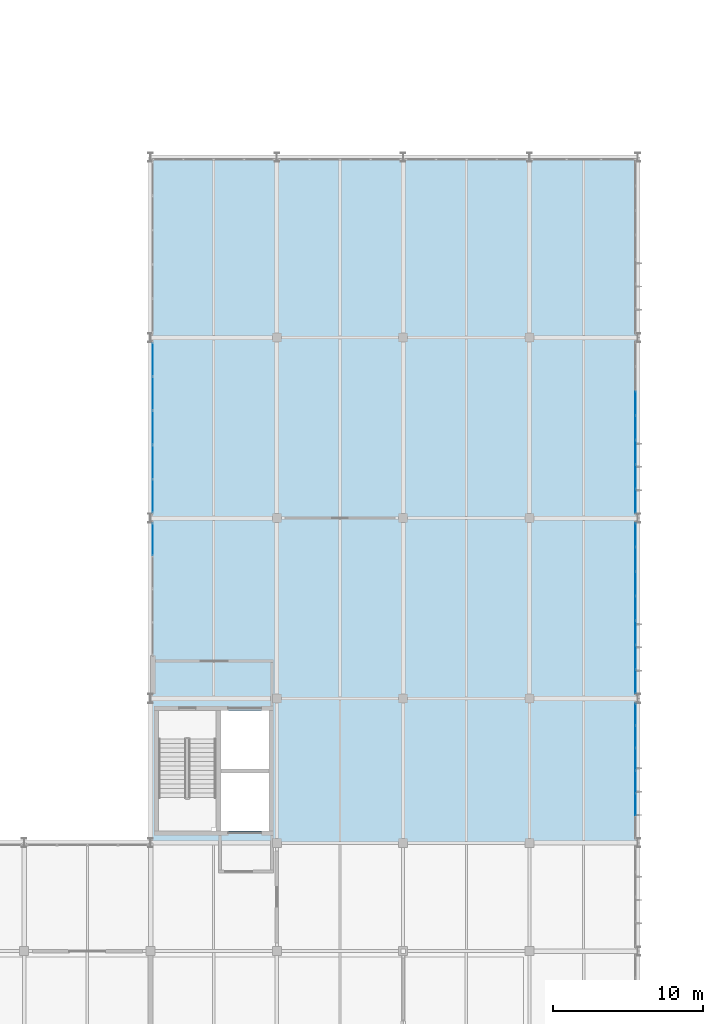
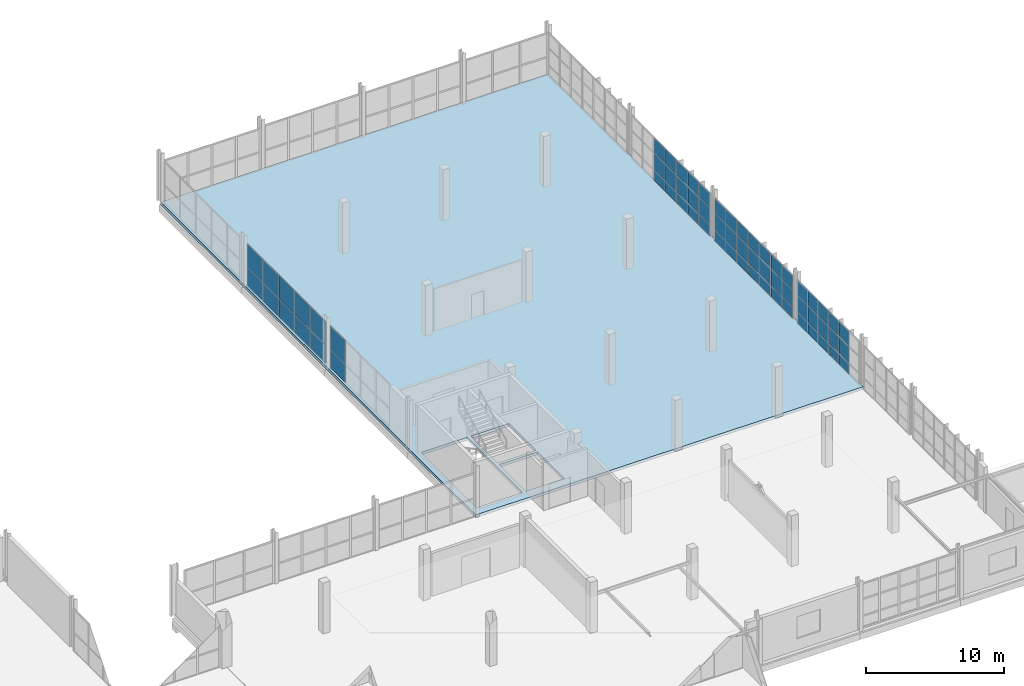
# One storey, part 111 of 130: 63 plates, 1 slab, 5 elements without a shape of their own.
"""IFC4 building model written with IfcOpenShell, lengths in metres."""

import ifcopenshell
import ifcopenshell.guid

model = None  # the IFC model being written
_history = None  # IfcOwnerHistory: only IFC2X3 demands one
_inside = {}  # id of a spatial element -> (the spatial element, [elements in it])
_under = {}  # id of a project, library or spatial element -> (it, [spatial elements below it])
_declared = {}  # id of a project -> (the project, [libraries it declares])
_typed = {}  # id of a type object -> (the type object, [elements of that type])
_made_of = {}  # id of a material, layer set ... -> (it, [elements and type objects made of it])


def new_model(schema):
    """Start an empty IFC model of exactly this schema.

    Asked for "IFC4X3", IfcOpenShell would pick the latest addendum, in which some entities
    have other attributes; the version numbers below select the first issue.
    IFC2X3 requires an IfcOwnerHistory on every rooted entity: one is made here for all.
    """
    global model, _history
    if schema == "IFC4X3":
        model = ifcopenshell.file(schema_version=(4, 3, 0, 0))
    else:
        model = ifcopenshell.file(schema=schema)
    _inside.clear()
    _under.clear()
    _declared.clear()
    _typed.clear()
    _made_of.clear()
    _history = None
    if model.schema == "IFC2X3":
        org = make("IfcOrganization", Name="unknown")
        user = make(
            "IfcPersonAndOrganization",
            ThePerson=make("IfcPerson", FamilyName="unknown"),
            TheOrganization=org,
        )
        app = make(
            "IfcApplication",
            ApplicationDeveloper=org,
            Version="unknown",
            ApplicationFullName="unknown",
            ApplicationIdentifier="unknown",
        )
        _history = make(
            "IfcOwnerHistory",
            OwningUser=user,
            OwningApplication=app,
            ChangeAction="ADDED",
            CreationDate=0,
        )
    return model


def make(cls, **values):
    """One entity of the class cls with the attributes given. An attribute that is None is left unset."""
    return model.create_entity(
        cls, **{name: value for name, value in values.items() if value is not None}
    )


def rooted(cls, **values):
    """An entity with a GlobalId (a new one), such as an element, a storey or a relation."""
    return make(cls, GlobalId=ifcopenshell.guid.new(), OwnerHistory=_history, **values)


def si_unit(unit_type, name, prefix=None):
    """IfcSIUnit, for example si_unit("LENGTHUNIT", "METRE", prefix="MILLI")."""
    return make("IfcSIUnit", UnitType=unit_type, Prefix=prefix, Name=name)


def assignment(units):
    """IfcUnitAssignment: the units of a project."""
    return None if units is None else make("IfcUnitAssignment", Units=units)


def point(xyz):
    """IfcCartesianPoint."""
    return None if xyz is None else make("IfcCartesianPoint", Coordinates=xyz)


def direction(xyz):
    """IfcDirection."""
    return None if xyz is None else make("IfcDirection", DirectionRatios=xyz)


def frame(location, z_axis=None, x_axis=None):
    """IfcAxis2Placement3D, a coordinate frame: its origin and axes. An axis left out is left unset."""
    return make(
        "IfcAxis2Placement3D",
        Location=point(location),
        Axis=direction(z_axis),
        RefDirection=direction(x_axis),
    )


def frame_2d(location, x_axis=None):
    """IfcAxis2Placement2D, a coordinate frame in the plane: its origin and x axis."""
    return make(
        "IfcAxis2Placement2D", Location=point(location), RefDirection=direction(x_axis)
    )


def origin():
    """The frame at (0, 0, 0) with its axes left unset."""
    return frame((0.0, 0.0, 0.0))


def origin_2d():
    """The frame at (0, 0) in the plane with its x axis left unset."""
    return frame_2d((0.0, 0.0))


def place(relative_to, where):
    """IfcLocalPlacement: puts the frame where relative to a parent placement (None: the world)."""
    return make(
        "IfcLocalPlacement", PlacementRelTo=relative_to, RelativePlacement=where
    )


def context(
    kind, dimensions, precision=None, world=None, true_north=None, identifier=None
):
    """IfcGeometricRepresentationContext, for example the 3D "Model" context."""
    return make(
        "IfcGeometricRepresentationContext",
        ContextIdentifier=identifier,
        ContextType=kind,
        CoordinateSpaceDimension=dimensions,
        Precision=precision,
        WorldCoordinateSystem=world,
        TrueNorth=true_north,
    )


def subcontext(parent, identifier, kind, view, scale=None):
    """IfcGeometricRepresentationSubContext, for example "Body" below "Model"."""
    return make(
        "IfcGeometricRepresentationSubContext",
        ContextIdentifier=identifier,
        ContextType=kind,
        ParentContext=parent,
        TargetScale=scale,
        TargetView=view,
    )


def project(units=None, contexts=None):
    """IfcProject with its units and contexts."""
    return rooted(
        "IfcProject",
        Name="project",
        RepresentationContexts=contexts,
        UnitsInContext=assignment(units),
    )


def spatial(cls, under=None, at=None, **own):
    """A site, building, storey or space (cls), placed at a placement, below another one or the project."""
    s = rooted(cls, ObjectPlacement=at, **own)
    if under is not None:
        _under.setdefault(under.id(), (under, []))[1].append(s)
    return s


def polyline(points):
    """IfcPolyline through the points."""
    return make("IfcPolyline", Points=[point(p) for p in points])


def profile(cls, at=None, kind="AREA", **sizes):
    """A parametric profile (cls). Its sizes go by their IFC names, for example OverallWidth=200.0."""
    return make(cls, ProfileType=kind, Position=at, **sizes)


def rectangle(**sizes):
    """IfcRectangleProfileDef."""
    return profile("IfcRectangleProfileDef", **sizes)


def outline(outer, holes=None, kind="AREA"):
    """IfcArbitraryClosedProfileDef: a profile drawn as a closed curve; with holes, ...WithVoids."""
    if holes is None:
        return make("IfcArbitraryClosedProfileDef", ProfileType=kind, OuterCurve=outer)
    return make(
        "IfcArbitraryProfileDefWithVoids",
        ProfileType=kind,
        OuterCurve=outer,
        InnerCurves=holes,
    )


def extrude(swept, where, along, depth):
    """IfcExtrudedAreaSolid: the profile swept, set in the frame where, extruded along a direction by depth."""
    return make(
        "IfcExtrudedAreaSolid",
        SweptArea=swept,
        Position=where,
        ExtrudedDirection=direction(along),
        Depth=depth,
    )


def shape(context_of_items, identifier, shape_type, items):
    """IfcShapeRepresentation: the items that make up one representation, for example the "Body"."""
    return make(
        "IfcShapeRepresentation",
        ContextOfItems=context_of_items,
        RepresentationIdentifier=identifier,
        RepresentationType=shape_type,
        Items=items,
    )


def material(Name=None, Category=None):
    """IfcMaterial."""
    return make("IfcMaterial", Name=Name, Category=Category)


def layer(
    of_material, thickness, ventilated=None, Name=None, Category=None, Priority=None
):
    """IfcMaterialLayer: one layer of a wall or slab, of a material (None: an air gap)."""
    return make(
        "IfcMaterialLayer",
        Material=of_material,
        LayerThickness=thickness,
        IsVentilated=ventilated,
        Name=Name,
        Category=Category,
        Priority=Priority,
    )


def layer_set(layers, Name=None):
    """IfcMaterialLayerSet."""
    return make("IfcMaterialLayerSet", MaterialLayers=layers, LayerSetName=Name)


def made_of(thing, what):
    """Note that an element or type object is made of a material, layer set ...; save() writes the relation."""
    if what is not None:
        _made_of.setdefault(what.id(), (what, []))[1].append(thing)
    return thing


def type_object(cls, material=None, **own):
    """A type object (cls), such as IfcWallType, which elements share."""
    return made_of(rooted(cls, **own), material)


def element(
    cls,
    number,
    at=None,
    inside=None,
    cuts=None,
    type_object=None,
    material=None,
    context=None,
    identifier="Body",
    shape_type=None,
    held_by="IfcProductDefinitionShape",
    body=None,
    shapes=None,
    **own,
):
    """One element of the class cls, such as IfcWall. Its Tag is "e" and its number.

    at: its placement. inside: the storey or other place that contains it. cuts: it is an
    opening in that element (IfcRelVoidsElement). A single representation is given by context,
    identifier, shape_type and body (its items); several are given by shapes. held_by: the class
    of the entity that holds the representations. save() writes the other relations.
    """
    e = rooted(cls, Tag="e%d" % number, ObjectPlacement=at, **own)
    if body is not None:
        shapes = [shape(context, identifier, shape_type, body)]
    if shapes is not None:
        e.Representation = make(held_by, Representations=shapes)
    if inside is not None:
        _inside.setdefault(inside.id(), (inside, []))[1].append(e)
    if cuts is not None:
        rooted(
            "IfcRelVoidsElement", RelatingBuildingElement=cuts, RelatedOpeningElement=e
        )
    if type_object is not None:
        _typed.setdefault(type_object.id(), (type_object, []))[1].append(e)
    return made_of(e, material)


def aggregate(whole, parts):
    """IfcRelAggregates: a whole, such as a stair, and the parts it consists of."""
    return rooted("IfcRelAggregates", RelatingObject=whole, RelatedObjects=parts)


def save(model, path):
    """Write the relations noted so far, then the file.

    IfcRelAggregates (storeys below a building ...), IfcRelContainedInSpatialStructure (elements
    in a storey), IfcRelDefinesByType, IfcRelAssociatesMaterial and IfcRelDeclares: one each for
    every whole, place, type object, material and project.
    """
    for whole, parts in _under.values():
        aggregate(whole, parts)
    for where, things in _inside.values():
        rooted(
            "IfcRelContainedInSpatialStructure",
            RelatedElements=things,
            RelatingStructure=where,
        )
    for kind, things in _typed.values():
        rooted("IfcRelDefinesByType", RelatedObjects=things, RelatingType=kind)
    for what, things in _made_of.values():
        rooted("IfcRelAssociatesMaterial", RelatedObjects=things, RelatingMaterial=what)
    for by, libraries in _declared.values():
        rooted("IfcRelDeclares", RelatingContext=by, RelatedDefinitions=libraries)
    model.write(path)


model = new_model("IFC4")

# Units and contexts
model_context = context("Model", 3, precision=1e-05, world=origin(), true_north=direction((0.0, 1.0)))
body_context = subcontext(model_context, "Body", "Model", "MODEL_VIEW")
ifc_project = project(units=[si_unit("LENGTHUNIT", "METRE"), si_unit("AREAUNIT", "SQUARE_METRE"), si_unit("VOLUMEUNIT", "CUBIC_METRE"), si_unit("PLANEANGLEUNIT", "RADIAN"), si_unit("MASSUNIT", "GRAM", prefix="KILO")], contexts=[model_context])

# Site, building, storey
site_placement = place(None, origin())
site = spatial("IfcSite", under=ifc_project, at=site_placement, CompositionType="ELEMENT")
building_placement = place(site_placement, origin())
building = spatial("IfcBuilding", under=site, at=building_placement, Name="Veltarok Museum of Natural Sciences", CompositionType="ELEMENT")
storey_placement = place(building_placement, frame((0.0, 0.0, 12.89990234375)))
storey = spatial("IfcBuildingStorey", under=building, at=storey_placement, Name="L02", CompositionType="ELEMENT", Elevation=12.89990234375)

# Slab
ifc_material_1 = material(Name="Concrete C35/45", Category="concrete")
ifc_layer_1 = layer(ifc_material_1, 0.25)
ifc_layer_set_1 = layer_set([ifc_layer_1], Name="Concrete C35/45")
slab_type = type_object("IfcSlabType", Name="Suspended Museum Floor Slab 250", PredefinedType="FLOOR", material=ifc_layer_set_1)
slab_placement = place(storey_placement, frame((0.0, 0.0, -0.25)))
element("IfcSlab", 1, at=slab_placement, inside=storey, type_object=slab_type, Name="Floor Slab L02 V5E", PredefinedType="FLOOR", context=body_context, shape_type="SweptSolid", body=[
    extrude(outline(polyline([(132.39990234375, 26.39990234375), (132.39990234375, 72.0), (164.800048828125, 72.0), (164.800048828125, 26.39990234375), (132.39990234375, 26.39990234375)]), holes=[polyline([(140.27001953125, 31.050048828125), (137.070068359375, 31.050048828125), (137.070068359375, 27.199951171875), (140.27001953125, 27.199951171875), (140.27001953125, 31.050048828125)]), polyline([(136.77001953125, 35.199951171875), (132.929931640625, 35.199951171875), (132.929931640625, 27.199951171875), (136.77001953125, 27.199951171875), (136.77001953125, 35.199951171875)]), polyline([(140.27001953125, 35.199951171875), (137.070068359375, 35.199951171875), (137.070068359375, 31.300048828125), (140.27001953125, 31.300048828125), (140.27001953125, 35.199951171875)])]), origin(), (0.0, 0.0, 1.0), 0.25),
])

# Curtain wall, plates
ifc_material_2 = material(Name="Low-iron triple insulated glass", Category="glass")
curtain_wall_type_1 = type_object("IfcCurtainWallType", Name="Curtain Wall System CW-V5E-L02-D-900x388 (V5 East Lab L02 D-E 900x388cm)", PredefinedType="NOTDEFINED", material=ifc_material_2)
curtain_wall_1_placement = place(storey_placement, origin())
curtain_wall_1 = element("IfcCurtainWall", 2, at=curtain_wall_1_placement, inside=storey, type_object=curtain_wall_type_1, Name="Curtain Wall CW-V5E-L02-D-900x388 CW-0111", PredefinedType="NOTDEFINED")
ifc_layer_2 = layer(ifc_material_2, 0.028076171875)
ifc_layer_set_2 = layer_set([ifc_layer_2], Name="Low-iron triple insulated glass")
plate_type = type_object("IfcPlateType", Name="Triple Low-Iron Glazed Vision Panel 28", PredefinedType="CURTAIN_PANEL", material=ifc_layer_set_2)
plate_1_placement = place(storey_placement, frame((164.64990234375, 28.949951171875, 0.06005859375), z_axis=(0.0, 0.0, 1.0), x_axis=(0.0, 1.0, 0.0)))
plate_1 = element("IfcPlate", 3, at=plate_1_placement, type_object=plate_type, Name="CW-V5E-L02-D-900x388 panel 2.1", PredefinedType="CURTAIN_PANEL", context=body_context, shape_type="SweptSolid", body=[
    extrude(rectangle(XDim=1.43994140625, YDim=0.028076171875, at=origin_2d()), origin(), (0.0, 0.0, 1.0), 0.909912109375),
])
plate_2_placement = place(storey_placement, frame((164.64990234375, 28.949951171875, 1.030029296875), z_axis=(0.0, 0.0, 1.0), x_axis=(0.0, 1.0, 0.0)))
plate_2 = element("IfcPlate", 4, at=plate_2_placement, type_object=plate_type, Name="CW-V5E-L02-D-900x388 panel 2.2", PredefinedType="CURTAIN_PANEL", context=body_context, shape_type="SweptSolid", body=[
    extrude(rectangle(XDim=1.43994140625, YDim=0.028076171875, at=origin_2d()), origin(), (0.0, 0.0, 1.0), 1.43994140625),
])
plate_3_placement = place(storey_placement, frame((164.64990234375, 28.949951171875, 2.530029296875), z_axis=(0.0, 0.0, 1.0), x_axis=(0.0, 1.0, 0.0)))
plate_3 = element("IfcPlate", 5, at=plate_3_placement, type_object=plate_type, Name="CW-V5E-L02-D-900x388 panel 2.3", PredefinedType="CURTAIN_PANEL", context=body_context, shape_type="SweptSolid", body=[
    extrude(rectangle(XDim=1.43994140625, YDim=0.028076171875, at=origin_2d()), origin(), (0.0, 0.0, 1.0), 1.2900390625),
])
plate_4_placement = place(storey_placement, frame((164.64990234375, 30.449951171875, 0.06005859375), z_axis=(0.0, 0.0, 1.0), x_axis=(0.0, 1.0, 0.0)))
plate_4 = element("IfcPlate", 6, at=plate_4_placement, type_object=plate_type, Name="CW-V5E-L02-D-900x388 panel 3.1", PredefinedType="CURTAIN_PANEL", context=body_context, shape_type="SweptSolid", body=[
    extrude(rectangle(XDim=1.43994140625, YDim=0.028076171875, at=origin_2d()), origin(), (0.0, 0.0, 1.0), 0.909912109375),
])
plate_5_placement = place(storey_placement, frame((164.64990234375, 30.449951171875, 1.030029296875), z_axis=(0.0, 0.0, 1.0), x_axis=(0.0, 1.0, 0.0)))
plate_5 = element("IfcPlate", 7, at=plate_5_placement, type_object=plate_type, Name="CW-V5E-L02-D-900x388 panel 3.2", PredefinedType="CURTAIN_PANEL", context=body_context, shape_type="SweptSolid", body=[
    extrude(rectangle(XDim=1.43994140625, YDim=0.028076171875, at=origin_2d()), origin(), (0.0, 0.0, 1.0), 1.43994140625),
])
plate_6_placement = place(storey_placement, frame((164.64990234375, 30.449951171875, 2.530029296875), z_axis=(0.0, 0.0, 1.0), x_axis=(0.0, 1.0, 0.0)))
plate_6 = element("IfcPlate", 8, at=plate_6_placement, type_object=plate_type, Name="CW-V5E-L02-D-900x388 panel 3.3", PredefinedType="CURTAIN_PANEL", context=body_context, shape_type="SweptSolid", body=[
    extrude(rectangle(XDim=1.43994140625, YDim=0.028076171875, at=origin_2d()), origin(), (0.0, 0.0, 1.0), 1.2900390625),
])
plate_7_placement = place(storey_placement, frame((164.64990234375, 31.949951171875, 0.06005859375), z_axis=(0.0, 0.0, 1.0), x_axis=(0.0, 1.0, 0.0)))
plate_7 = element("IfcPlate", 9, at=plate_7_placement, type_object=plate_type, Name="CW-V5E-L02-D-900x388 panel 4.1", PredefinedType="CURTAIN_PANEL", context=body_context, shape_type="SweptSolid", body=[
    extrude(rectangle(XDim=1.43994140625, YDim=0.028076171875, at=origin_2d()), origin(), (0.0, 0.0, 1.0), 0.909912109375),
])
plate_8_placement = place(storey_placement, frame((164.64990234375, 31.949951171875, 1.030029296875), z_axis=(0.0, 0.0, 1.0), x_axis=(0.0, 1.0, 0.0)))
plate_8 = element("IfcPlate", 10, at=plate_8_placement, type_object=plate_type, Name="CW-V5E-L02-D-900x388 panel 4.2", PredefinedType="CURTAIN_PANEL", context=body_context, shape_type="SweptSolid", body=[
    extrude(rectangle(XDim=1.43994140625, YDim=0.028076171875, at=origin_2d()), origin(), (0.0, 0.0, 1.0), 1.43994140625),
])
plate_9_placement = place(storey_placement, frame((164.64990234375, 31.949951171875, 2.530029296875), z_axis=(0.0, 0.0, 1.0), x_axis=(0.0, 1.0, 0.0)))
plate_9 = element("IfcPlate", 11, at=plate_9_placement, type_object=plate_type, Name="CW-V5E-L02-D-900x388 panel 4.3", PredefinedType="CURTAIN_PANEL", context=body_context, shape_type="SweptSolid", body=[
    extrude(rectangle(XDim=1.43994140625, YDim=0.028076171875, at=origin_2d()), origin(), (0.0, 0.0, 1.0), 1.2900390625),
])
plate_10_placement = place(storey_placement, frame((164.64990234375, 33.449951171875, 0.06005859375), z_axis=(0.0, 0.0, 1.0), x_axis=(0.0, 1.0, 0.0)))
plate_10 = element("IfcPlate", 12, at=plate_10_placement, type_object=plate_type, Name="CW-V5E-L02-D-900x388 panel 5.1", PredefinedType="CURTAIN_PANEL", context=body_context, shape_type="SweptSolid", body=[
    extrude(rectangle(XDim=1.43994140625, YDim=0.028076171875, at=origin_2d()), origin(), (0.0, 0.0, 1.0), 0.909912109375),
])
plate_11_placement = place(storey_placement, frame((164.64990234375, 33.449951171875, 1.030029296875), z_axis=(0.0, 0.0, 1.0), x_axis=(0.0, 1.0, 0.0)))
plate_11 = element("IfcPlate", 13, at=plate_11_placement, type_object=plate_type, Name="CW-V5E-L02-D-900x388 panel 5.2", PredefinedType="CURTAIN_PANEL", context=body_context, shape_type="SweptSolid", body=[
    extrude(rectangle(XDim=1.43994140625, YDim=0.028076171875, at=origin_2d()), origin(), (0.0, 0.0, 1.0), 1.43994140625),
])
plate_12_placement = place(storey_placement, frame((164.64990234375, 33.449951171875, 2.530029296875), z_axis=(0.0, 0.0, 1.0), x_axis=(0.0, 1.0, 0.0)))
plate_12 = element("IfcPlate", 14, at=plate_12_placement, type_object=plate_type, Name="CW-V5E-L02-D-900x388 panel 5.3", PredefinedType="CURTAIN_PANEL", context=body_context, shape_type="SweptSolid", body=[
    extrude(rectangle(XDim=1.43994140625, YDim=0.028076171875, at=origin_2d()), origin(), (0.0, 0.0, 1.0), 1.2900390625),
])
plate_13_placement = place(storey_placement, frame((164.64990234375, 34.93505859375, 0.06005859375), z_axis=(0.0, 0.0, 1.0), x_axis=(0.0, 1.0, 0.0)))
plate_13 = element("IfcPlate", 15, at=plate_13_placement, type_object=plate_type, Name="CW-V5E-L02-D-900x388 panel 6.1", PredefinedType="CURTAIN_PANEL", context=body_context, shape_type="SweptSolid", body=[
    extrude(rectangle(XDim=1.409912109375, YDim=0.028076171875, at=origin_2d()), origin(), (0.0, 0.0, 1.0), 0.909912109375),
])
plate_14_placement = place(storey_placement, frame((164.64990234375, 34.93505859375, 1.030029296875), z_axis=(0.0, 0.0, 1.0), x_axis=(0.0, 1.0, 0.0)))
plate_14 = element("IfcPlate", 16, at=plate_14_placement, type_object=plate_type, Name="CW-V5E-L02-D-900x388 panel 6.2", PredefinedType="CURTAIN_PANEL", context=body_context, shape_type="SweptSolid", body=[
    extrude(rectangle(XDim=1.409912109375, YDim=0.028076171875, at=origin_2d()), origin(), (0.0, 0.0, 1.0), 1.43994140625),
])
plate_15_placement = place(storey_placement, frame((164.64990234375, 34.93505859375, 2.530029296875), z_axis=(0.0, 0.0, 1.0), x_axis=(0.0, 1.0, 0.0)))
plate_15 = element("IfcPlate", 17, at=plate_15_placement, type_object=plate_type, Name="CW-V5E-L02-D-900x388 panel 6.3", PredefinedType="CURTAIN_PANEL", context=body_context, shape_type="SweptSolid", body=[
    extrude(rectangle(XDim=1.409912109375, YDim=0.028076171875, at=origin_2d()), origin(), (0.0, 0.0, 1.0), 1.2900390625),
])
aggregate(curtain_wall_1, [plate_1, plate_2, plate_3, plate_4, plate_5, plate_6, plate_7, plate_8, plate_9, plate_10, plate_11, plate_12, plate_13, plate_14, plate_15])

curtain_wall_type_2 = type_object("IfcCurtainWallType", Name="Curtain Wall System CW-V5E-L02-E-1140x388 (V5 East Lab L02 E-F 1140x388cm)", PredefinedType="NOTDEFINED", material=ifc_material_2)
curtain_wall_2_placement = place(storey_placement, origin())
curtain_wall_2 = element("IfcCurtainWall", 18, at=curtain_wall_2_placement, inside=storey, type_object=curtain_wall_type_2, Name="Curtain Wall CW-V5E-L02-E-1140x388 CW-0112", PredefinedType="NOTDEFINED")
plate_16_placement = place(storey_placement, frame((164.64990234375, 37.12939453125, 0.06005859375), z_axis=(0.0, 0.0, 1.0), x_axis=(0.0, 1.0, 0.0)))
plate_16 = element("IfcPlate", 19, at=plate_16_placement, type_object=plate_type, Name="CW-V5E-L02-E-1140x388 panel 1.1", PredefinedType="CURTAIN_PANEL", context=body_context, shape_type="SweptSolid", body=[
    extrude(rectangle(XDim=1.53857421875, YDim=0.028076171875, at=origin_2d()), origin(), (0.0, 0.0, 1.0), 0.909912109375),
])
plate_17_placement = place(storey_placement, frame((164.64990234375, 37.12939453125, 1.030029296875), z_axis=(0.0, 0.0, 1.0), x_axis=(0.0, 1.0, 0.0)))
plate_17 = element("IfcPlate", 20, at=plate_17_placement, type_object=plate_type, Name="CW-V5E-L02-E-1140x388 panel 1.2", PredefinedType="CURTAIN_PANEL", context=body_context, shape_type="SweptSolid", body=[
    extrude(rectangle(XDim=1.53857421875, YDim=0.028076171875, at=origin_2d()), origin(), (0.0, 0.0, 1.0), 1.43994140625),
])
plate_18_placement = place(storey_placement, frame((164.64990234375, 37.12939453125, 2.530029296875), z_axis=(0.0, 0.0, 1.0), x_axis=(0.0, 1.0, 0.0)))
plate_18 = element("IfcPlate", 21, at=plate_18_placement, type_object=plate_type, Name="CW-V5E-L02-E-1140x388 panel 1.3", PredefinedType="CURTAIN_PANEL", context=body_context, shape_type="SweptSolid", body=[
    extrude(rectangle(XDim=1.53857421875, YDim=0.028076171875, at=origin_2d()), origin(), (0.0, 0.0, 1.0), 1.2900390625),
])
plate_19_placement = place(storey_placement, frame((164.64990234375, 38.742919921875, 0.06005859375), z_axis=(0.0, 0.0, 1.0), x_axis=(0.0, 1.0, 0.0)))
plate_19 = element("IfcPlate", 22, at=plate_19_placement, type_object=plate_type, Name="CW-V5E-L02-E-1140x388 panel 2.1", PredefinedType="CURTAIN_PANEL", context=body_context, shape_type="SweptSolid", body=[
    extrude(rectangle(XDim=1.568603515625, YDim=0.028076171875, at=origin_2d()), origin(), (0.0, 0.0, 1.0), 0.909912109375),
])
plate_20_placement = place(storey_placement, frame((164.64990234375, 38.742919921875, 1.030029296875), z_axis=(0.0, 0.0, 1.0), x_axis=(0.0, 1.0, 0.0)))
plate_20 = element("IfcPlate", 23, at=plate_20_placement, type_object=plate_type, Name="CW-V5E-L02-E-1140x388 panel 2.2", PredefinedType="CURTAIN_PANEL", context=body_context, shape_type="SweptSolid", body=[
    extrude(rectangle(XDim=1.568603515625, YDim=0.028076171875, at=origin_2d()), origin(), (0.0, 0.0, 1.0), 1.43994140625),
])
plate_21_placement = place(storey_placement, frame((164.64990234375, 38.742919921875, 2.530029296875), z_axis=(0.0, 0.0, 1.0), x_axis=(0.0, 1.0, 0.0)))
plate_21 = element("IfcPlate", 24, at=plate_21_placement, type_object=plate_type, Name="CW-V5E-L02-E-1140x388 panel 2.3", PredefinedType="CURTAIN_PANEL", context=body_context, shape_type="SweptSolid", body=[
    extrude(rectangle(XDim=1.568603515625, YDim=0.028076171875, at=origin_2d()), origin(), (0.0, 0.0, 1.0), 1.2900390625),
])
plate_22_placement = place(storey_placement, frame((164.64990234375, 40.371337890625, 0.06005859375), z_axis=(0.0, 0.0, 1.0), x_axis=(0.0, 1.0, 0.0)))
plate_22 = element("IfcPlate", 25, at=plate_22_placement, type_object=plate_type, Name="CW-V5E-L02-E-1140x388 panel 3.1", PredefinedType="CURTAIN_PANEL", context=body_context, shape_type="SweptSolid", body=[
    extrude(rectangle(XDim=1.568603515625, YDim=0.028076171875, at=origin_2d()), origin(), (0.0, 0.0, 1.0), 0.909912109375),
])
plate_23_placement = place(storey_placement, frame((164.64990234375, 40.371337890625, 1.030029296875), z_axis=(0.0, 0.0, 1.0), x_axis=(0.0, 1.0, 0.0)))
plate_23 = element("IfcPlate", 26, at=plate_23_placement, type_object=plate_type, Name="CW-V5E-L02-E-1140x388 panel 3.2", PredefinedType="CURTAIN_PANEL", context=body_context, shape_type="SweptSolid", body=[
    extrude(rectangle(XDim=1.568603515625, YDim=0.028076171875, at=origin_2d()), origin(), (0.0, 0.0, 1.0), 1.43994140625),
])
plate_24_placement = place(storey_placement, frame((164.64990234375, 40.371337890625, 2.530029296875), z_axis=(0.0, 0.0, 1.0), x_axis=(0.0, 1.0, 0.0)))
plate_24 = element("IfcPlate", 27, at=plate_24_placement, type_object=plate_type, Name="CW-V5E-L02-E-1140x388 panel 3.3", PredefinedType="CURTAIN_PANEL", context=body_context, shape_type="SweptSolid", body=[
    extrude(rectangle(XDim=1.568603515625, YDim=0.028076171875, at=origin_2d()), origin(), (0.0, 0.0, 1.0), 1.2900390625),
])
plate_25_placement = place(storey_placement, frame((164.64990234375, 42.0, 0.06005859375), z_axis=(0.0, 0.0, 1.0), x_axis=(0.0, 1.0, 0.0)))
plate_25 = element("IfcPlate", 28, at=plate_25_placement, type_object=plate_type, Name="CW-V5E-L02-E-1140x388 panel 4.1", PredefinedType="CURTAIN_PANEL", context=body_context, shape_type="SweptSolid", body=[
    extrude(rectangle(XDim=1.568603515625, YDim=0.028076171875, at=origin_2d()), origin(), (0.0, 0.0, 1.0), 0.909912109375),
])
plate_26_placement = place(storey_placement, frame((164.64990234375, 42.0, 1.030029296875), z_axis=(0.0, 0.0, 1.0), x_axis=(0.0, 1.0, 0.0)))
plate_26 = element("IfcPlate", 29, at=plate_26_placement, type_object=plate_type, Name="CW-V5E-L02-E-1140x388 panel 4.2", PredefinedType="CURTAIN_PANEL", context=body_context, shape_type="SweptSolid", body=[
    extrude(rectangle(XDim=1.568603515625, YDim=0.028076171875, at=origin_2d()), origin(), (0.0, 0.0, 1.0), 1.43994140625),
])
plate_27_placement = place(storey_placement, frame((164.64990234375, 42.0, 2.530029296875), z_axis=(0.0, 0.0, 1.0), x_axis=(0.0, 1.0, 0.0)))
plate_27 = element("IfcPlate", 30, at=plate_27_placement, type_object=plate_type, Name="CW-V5E-L02-E-1140x388 panel 4.3", PredefinedType="CURTAIN_PANEL", context=body_context, shape_type="SweptSolid", body=[
    extrude(rectangle(XDim=1.568603515625, YDim=0.028076171875, at=origin_2d()), origin(), (0.0, 0.0, 1.0), 1.2900390625),
])
plate_28_placement = place(storey_placement, frame((164.64990234375, 43.628662109375, 0.06005859375), z_axis=(0.0, 0.0, 1.0), x_axis=(0.0, 1.0, 0.0)))
plate_28 = element("IfcPlate", 31, at=plate_28_placement, type_object=plate_type, Name="CW-V5E-L02-E-1140x388 panel 5.1", PredefinedType="CURTAIN_PANEL", context=body_context, shape_type="SweptSolid", body=[
    extrude(rectangle(XDim=1.568603515625, YDim=0.028076171875, at=origin_2d()), origin(), (0.0, 0.0, 1.0), 0.909912109375),
])
plate_29_placement = place(storey_placement, frame((164.64990234375, 43.628662109375, 1.030029296875), z_axis=(0.0, 0.0, 1.0), x_axis=(0.0, 1.0, 0.0)))
plate_29 = element("IfcPlate", 32, at=plate_29_placement, type_object=plate_type, Name="CW-V5E-L02-E-1140x388 panel 5.2", PredefinedType="CURTAIN_PANEL", context=body_context, shape_type="SweptSolid", body=[
    extrude(rectangle(XDim=1.568603515625, YDim=0.028076171875, at=origin_2d()), origin(), (0.0, 0.0, 1.0), 1.43994140625),
])
plate_30_placement = place(storey_placement, frame((164.64990234375, 43.628662109375, 2.530029296875), z_axis=(0.0, 0.0, 1.0), x_axis=(0.0, 1.0, 0.0)))
plate_30 = element("IfcPlate", 33, at=plate_30_placement, type_object=plate_type, Name="CW-V5E-L02-E-1140x388 panel 5.3", PredefinedType="CURTAIN_PANEL", context=body_context, shape_type="SweptSolid", body=[
    extrude(rectangle(XDim=1.568603515625, YDim=0.028076171875, at=origin_2d()), origin(), (0.0, 0.0, 1.0), 1.2900390625),
])
plate_31_placement = place(storey_placement, frame((164.64990234375, 45.257080078125, 0.06005859375), z_axis=(0.0, 0.0, 1.0), x_axis=(0.0, 1.0, 0.0)))
plate_31 = element("IfcPlate", 34, at=plate_31_placement, type_object=plate_type, Name="CW-V5E-L02-E-1140x388 panel 6.1", PredefinedType="CURTAIN_PANEL", context=body_context, shape_type="SweptSolid", body=[
    extrude(rectangle(XDim=1.568603515625, YDim=0.028076171875, at=origin_2d()), origin(), (0.0, 0.0, 1.0), 0.909912109375),
])
plate_32_placement = place(storey_placement, frame((164.64990234375, 45.257080078125, 1.030029296875), z_axis=(0.0, 0.0, 1.0), x_axis=(0.0, 1.0, 0.0)))
plate_32 = element("IfcPlate", 35, at=plate_32_placement, type_object=plate_type, Name="CW-V5E-L02-E-1140x388 panel 6.2", PredefinedType="CURTAIN_PANEL", context=body_context, shape_type="SweptSolid", body=[
    extrude(rectangle(XDim=1.568603515625, YDim=0.028076171875, at=origin_2d()), origin(), (0.0, 0.0, 1.0), 1.43994140625),
])
plate_33_placement = place(storey_placement, frame((164.64990234375, 45.257080078125, 2.530029296875), z_axis=(0.0, 0.0, 1.0), x_axis=(0.0, 1.0, 0.0)))
plate_33 = element("IfcPlate", 36, at=plate_33_placement, type_object=plate_type, Name="CW-V5E-L02-E-1140x388 panel 6.3", PredefinedType="CURTAIN_PANEL", context=body_context, shape_type="SweptSolid", body=[
    extrude(rectangle(XDim=1.568603515625, YDim=0.028076171875, at=origin_2d()), origin(), (0.0, 0.0, 1.0), 1.2900390625),
])
plate_34_placement = place(storey_placement, frame((164.64990234375, 46.87060546875, 0.06005859375), z_axis=(0.0, 0.0, 1.0), x_axis=(0.0, 1.0, 0.0)))
plate_34 = element("IfcPlate", 37, at=plate_34_placement, type_object=plate_type, Name="CW-V5E-L02-E-1140x388 panel 7.1", PredefinedType="CURTAIN_PANEL", context=body_context, shape_type="SweptSolid", body=[
    extrude(rectangle(XDim=1.53857421875, YDim=0.028076171875, at=origin_2d()), origin(), (0.0, 0.0, 1.0), 0.909912109375),
])
plate_35_placement = place(storey_placement, frame((164.64990234375, 46.87060546875, 1.030029296875), z_axis=(0.0, 0.0, 1.0), x_axis=(0.0, 1.0, 0.0)))
plate_35 = element("IfcPlate", 38, at=plate_35_placement, type_object=plate_type, Name="CW-V5E-L02-E-1140x388 panel 7.2", PredefinedType="CURTAIN_PANEL", context=body_context, shape_type="SweptSolid", body=[
    extrude(rectangle(XDim=1.53857421875, YDim=0.028076171875, at=origin_2d()), origin(), (0.0, 0.0, 1.0), 1.43994140625),
])
plate_36_placement = place(storey_placement, frame((164.64990234375, 46.87060546875, 2.530029296875), z_axis=(0.0, 0.0, 1.0), x_axis=(0.0, 1.0, 0.0)))
plate_36 = element("IfcPlate", 39, at=plate_36_placement, type_object=plate_type, Name="CW-V5E-L02-E-1140x388 panel 7.3", PredefinedType="CURTAIN_PANEL", context=body_context, shape_type="SweptSolid", body=[
    extrude(rectangle(XDim=1.53857421875, YDim=0.028076171875, at=origin_2d()), origin(), (0.0, 0.0, 1.0), 1.2900390625),
])
aggregate(curtain_wall_2, [plate_16, plate_17, plate_18, plate_19, plate_20, plate_21, plate_22, plate_23, plate_24, plate_25, plate_26, plate_27, plate_28, plate_29, plate_30, plate_31, plate_32, plate_33, plate_34, plate_35, plate_36])

curtain_wall_type_3 = type_object("IfcCurtainWallType", Name="Curtain Wall System CW-V5E-L02-F-1140x388 (V5 East Lab L02 F-G 1140x388cm)", PredefinedType="NOTDEFINED", material=ifc_material_2)
curtain_wall_3_placement = place(storey_placement, origin())
curtain_wall_3 = element("IfcCurtainWall", 40, at=curtain_wall_3_placement, inside=storey, type_object=curtain_wall_type_3, Name="Curtain Wall CW-V5E-L02-F-1140x388 CW-0113", PredefinedType="NOTDEFINED")
plate_37_placement = place(storey_placement, frame((164.64990234375, 49.12939453125, 0.06005859375), z_axis=(0.0, 0.0, 1.0), x_axis=(0.0, 1.0, 0.0)))
plate_37 = element("IfcPlate", 41, at=plate_37_placement, type_object=plate_type, Name="CW-V5E-L02-F-1140x388 panel 1.1", PredefinedType="CURTAIN_PANEL", context=body_context, shape_type="SweptSolid", body=[
    extrude(rectangle(XDim=1.53857421875, YDim=0.028076171875, at=origin_2d()), origin(), (0.0, 0.0, 1.0), 0.909912109375),
])
plate_38_placement = place(storey_placement, frame((164.64990234375, 49.12939453125, 1.030029296875), z_axis=(0.0, 0.0, 1.0), x_axis=(0.0, 1.0, 0.0)))
plate_38 = element("IfcPlate", 42, at=plate_38_placement, type_object=plate_type, Name="CW-V5E-L02-F-1140x388 panel 1.2", PredefinedType="CURTAIN_PANEL", context=body_context, shape_type="SweptSolid", body=[
    extrude(rectangle(XDim=1.53857421875, YDim=0.028076171875, at=origin_2d()), origin(), (0.0, 0.0, 1.0), 1.43994140625),
])
plate_39_placement = place(storey_placement, frame((164.64990234375, 49.12939453125, 2.530029296875), z_axis=(0.0, 0.0, 1.0), x_axis=(0.0, 1.0, 0.0)))
plate_39 = element("IfcPlate", 43, at=plate_39_placement, type_object=plate_type, Name="CW-V5E-L02-F-1140x388 panel 1.3", PredefinedType="CURTAIN_PANEL", context=body_context, shape_type="SweptSolid", body=[
    extrude(rectangle(XDim=1.53857421875, YDim=0.028076171875, at=origin_2d()), origin(), (0.0, 0.0, 1.0), 1.2900390625),
])
plate_40_placement = place(storey_placement, frame((164.64990234375, 50.742919921875, 0.06005859375), z_axis=(0.0, 0.0, 1.0), x_axis=(0.0, 1.0, 0.0)))
plate_40 = element("IfcPlate", 44, at=plate_40_placement, type_object=plate_type, Name="CW-V5E-L02-F-1140x388 panel 2.1", PredefinedType="CURTAIN_PANEL", context=body_context, shape_type="SweptSolid", body=[
    extrude(rectangle(XDim=1.568603515625, YDim=0.028076171875, at=origin_2d()), origin(), (0.0, 0.0, 1.0), 0.909912109375),
])
plate_41_placement = place(storey_placement, frame((164.64990234375, 50.742919921875, 1.030029296875), z_axis=(0.0, 0.0, 1.0), x_axis=(0.0, 1.0, 0.0)))
plate_41 = element("IfcPlate", 45, at=plate_41_placement, type_object=plate_type, Name="CW-V5E-L02-F-1140x388 panel 2.2", PredefinedType="CURTAIN_PANEL", context=body_context, shape_type="SweptSolid", body=[
    extrude(rectangle(XDim=1.568603515625, YDim=0.028076171875, at=origin_2d()), origin(), (0.0, 0.0, 1.0), 1.43994140625),
])
plate_42_placement = place(storey_placement, frame((164.64990234375, 50.742919921875, 2.530029296875), z_axis=(0.0, 0.0, 1.0), x_axis=(0.0, 1.0, 0.0)))
plate_42 = element("IfcPlate", 46, at=plate_42_placement, type_object=plate_type, Name="CW-V5E-L02-F-1140x388 panel 2.3", PredefinedType="CURTAIN_PANEL", context=body_context, shape_type="SweptSolid", body=[
    extrude(rectangle(XDim=1.568603515625, YDim=0.028076171875, at=origin_2d()), origin(), (0.0, 0.0, 1.0), 1.2900390625),
])
plate_43_placement = place(storey_placement, frame((164.64990234375, 52.371337890625, 0.06005859375), z_axis=(0.0, 0.0, 1.0), x_axis=(0.0, 1.0, 0.0)))
plate_43 = element("IfcPlate", 47, at=plate_43_placement, type_object=plate_type, Name="CW-V5E-L02-F-1140x388 panel 3.1", PredefinedType="CURTAIN_PANEL", context=body_context, shape_type="SweptSolid", body=[
    extrude(rectangle(XDim=1.568603515625, YDim=0.028076171875, at=origin_2d()), origin(), (0.0, 0.0, 1.0), 0.909912109375),
])
plate_44_placement = place(storey_placement, frame((164.64990234375, 52.371337890625, 1.030029296875), z_axis=(0.0, 0.0, 1.0), x_axis=(0.0, 1.0, 0.0)))
plate_44 = element("IfcPlate", 48, at=plate_44_placement, type_object=plate_type, Name="CW-V5E-L02-F-1140x388 panel 3.2", PredefinedType="CURTAIN_PANEL", context=body_context, shape_type="SweptSolid", body=[
    extrude(rectangle(XDim=1.568603515625, YDim=0.028076171875, at=origin_2d()), origin(), (0.0, 0.0, 1.0), 1.43994140625),
])
plate_45_placement = place(storey_placement, frame((164.64990234375, 52.371337890625, 2.530029296875), z_axis=(0.0, 0.0, 1.0), x_axis=(0.0, 1.0, 0.0)))
plate_45 = element("IfcPlate", 49, at=plate_45_placement, type_object=plate_type, Name="CW-V5E-L02-F-1140x388 panel 3.3", PredefinedType="CURTAIN_PANEL", context=body_context, shape_type="SweptSolid", body=[
    extrude(rectangle(XDim=1.568603515625, YDim=0.028076171875, at=origin_2d()), origin(), (0.0, 0.0, 1.0), 1.2900390625),
])
plate_46_placement = place(storey_placement, frame((164.64990234375, 54.0, 0.06005859375), z_axis=(0.0, 0.0, 1.0), x_axis=(0.0, 1.0, 0.0)))
plate_46 = element("IfcPlate", 50, at=plate_46_placement, type_object=plate_type, Name="CW-V5E-L02-F-1140x388 panel 4.1", PredefinedType="CURTAIN_PANEL", context=body_context, shape_type="SweptSolid", body=[
    extrude(rectangle(XDim=1.568603515625, YDim=0.028076171875, at=origin_2d()), origin(), (0.0, 0.0, 1.0), 0.909912109375),
])
plate_47_placement = place(storey_placement, frame((164.64990234375, 54.0, 1.030029296875), z_axis=(0.0, 0.0, 1.0), x_axis=(0.0, 1.0, 0.0)))
plate_47 = element("IfcPlate", 51, at=plate_47_placement, type_object=plate_type, Name="CW-V5E-L02-F-1140x388 panel 4.2", PredefinedType="CURTAIN_PANEL", context=body_context, shape_type="SweptSolid", body=[
    extrude(rectangle(XDim=1.568603515625, YDim=0.028076171875, at=origin_2d()), origin(), (0.0, 0.0, 1.0), 1.43994140625),
])
plate_48_placement = place(storey_placement, frame((164.64990234375, 54.0, 2.530029296875), z_axis=(0.0, 0.0, 1.0), x_axis=(0.0, 1.0, 0.0)))
plate_48 = element("IfcPlate", 52, at=plate_48_placement, type_object=plate_type, Name="CW-V5E-L02-F-1140x388 panel 4.3", PredefinedType="CURTAIN_PANEL", context=body_context, shape_type="SweptSolid", body=[
    extrude(rectangle(XDim=1.568603515625, YDim=0.028076171875, at=origin_2d()), origin(), (0.0, 0.0, 1.0), 1.2900390625),
])
plate_49_placement = place(storey_placement, frame((164.64990234375, 55.628662109375, 0.06005859375), z_axis=(0.0, 0.0, 1.0), x_axis=(0.0, 1.0, 0.0)))
plate_49 = element("IfcPlate", 53, at=plate_49_placement, type_object=plate_type, Name="CW-V5E-L02-F-1140x388 panel 5.1", PredefinedType="CURTAIN_PANEL", context=body_context, shape_type="SweptSolid", body=[
    extrude(rectangle(XDim=1.568603515625, YDim=0.028076171875, at=origin_2d()), origin(), (0.0, 0.0, 1.0), 0.909912109375),
])
plate_50_placement = place(storey_placement, frame((164.64990234375, 55.628662109375, 1.030029296875), z_axis=(0.0, 0.0, 1.0), x_axis=(0.0, 1.0, 0.0)))
plate_50 = element("IfcPlate", 54, at=plate_50_placement, type_object=plate_type, Name="CW-V5E-L02-F-1140x388 panel 5.2", PredefinedType="CURTAIN_PANEL", context=body_context, shape_type="SweptSolid", body=[
    extrude(rectangle(XDim=1.568603515625, YDim=0.028076171875, at=origin_2d()), origin(), (0.0, 0.0, 1.0), 1.43994140625),
])
plate_51_placement = place(storey_placement, frame((164.64990234375, 55.628662109375, 2.530029296875), z_axis=(0.0, 0.0, 1.0), x_axis=(0.0, 1.0, 0.0)))
plate_51 = element("IfcPlate", 55, at=plate_51_placement, type_object=plate_type, Name="CW-V5E-L02-F-1140x388 panel 5.3", PredefinedType="CURTAIN_PANEL", context=body_context, shape_type="SweptSolid", body=[
    extrude(rectangle(XDim=1.568603515625, YDim=0.028076171875, at=origin_2d()), origin(), (0.0, 0.0, 1.0), 1.2900390625),
])
aggregate(curtain_wall_3, [plate_37, plate_38, plate_39, plate_40, plate_41, plate_42, plate_43, plate_44, plate_45, plate_46, plate_47, plate_48, plate_49, plate_50, plate_51])

curtain_wall_type_4 = type_object("IfcCurtainWallType", Name="Curtain Wall System CW-V5CW-L02-1-885x383 (CW-V5CW L02 885x383cm)", PredefinedType="NOTDEFINED", material=ifc_material_2)
curtain_wall_4_placement = place(storey_placement, origin())
curtain_wall_4 = element("IfcCurtainWall", 56, at=curtain_wall_4_placement, inside=storey, type_object=curtain_wall_type_4, Name="Curtain Wall CW-V5CW-L02-1-885x383 CW-0177", PredefinedType="NOTDEFINED")
plate_52_placement = place(storey_placement, frame((132.550048828125, 46.578857421875, 0.05810546875), z_axis=(0.0, 0.0, 1.0), x_axis=(0.0, 1.0, 0.0)))
plate_52 = element("IfcPlate", 57, at=plate_52_placement, type_object=plate_type, Name="CW-V5CW-L02-1-885x383 panel 4.1", PredefinedType="CURTAIN_PANEL", context=body_context, shape_type="SweptSolid", body=[
    extrude(rectangle(XDim=2.12255859375, YDim=0.028076171875, at=origin_2d()), origin(), (0.0, 0.0, 1.0), 1.56005859375),
])
plate_53_placement = place(storey_placement, frame((132.550048828125, 46.578857421875, 1.67822265625), z_axis=(0.0, 0.0, 1.0), x_axis=(0.0, 1.0, 0.0)))
plate_53 = element("IfcPlate", 58, at=plate_53_placement, type_object=plate_type, Name="CW-V5CW-L02-1-885x383 panel 4.2", PredefinedType="CURTAIN_PANEL", context=body_context, shape_type="SweptSolid", body=[
    extrude(rectangle(XDim=2.12255859375, YDim=0.028076171875, at=origin_2d()), origin(), (0.0, 0.0, 1.0), 2.092041015625),
])
aggregate(curtain_wall_4, [plate_52, plate_53])

curtain_wall_type_5 = type_object("IfcCurtainWallType", Name="Curtain Wall System CW-V5CW-L02-2-1140x378 (CW-V5CW L02 1140x378cm)", PredefinedType="NOTDEFINED", material=ifc_material_2)
curtain_wall_5_placement = place(storey_placement, origin())
curtain_wall_5 = element("IfcCurtainWall", 59, at=curtain_wall_5_placement, inside=storey, type_object=curtain_wall_type_5, Name="Curtain Wall CW-V5CW-L02-2-1140x378 CW-0178", PredefinedType="NOTDEFINED")
plate_54_placement = place(storey_placement, frame((132.550048828125, 49.455078125, 0.05810546875), z_axis=(0.0, 0.0, 1.0), x_axis=(0.0, 1.0, 0.0)))
plate_54 = element("IfcPlate", 60, at=plate_54_placement, type_object=plate_type, Name="CW-V5CW-L02-2-1140x378 panel 1.1", PredefinedType="CURTAIN_PANEL", context=body_context, shape_type="SweptSolid", body=[
    extrude(rectangle(XDim=2.18994140625, YDim=0.028076171875, at=origin_2d()), origin(), (0.0, 0.0, 1.0), 1.56005859375),
])
plate_55_placement = place(storey_placement, frame((132.550048828125, 49.455078125, 1.67822265625), z_axis=(0.0, 0.0, 1.0), x_axis=(0.0, 1.0, 0.0)))
plate_55 = element("IfcPlate", 61, at=plate_55_placement, type_object=plate_type, Name="CW-V5CW-L02-2-1140x378 panel 1.2", PredefinedType="CURTAIN_PANEL", context=body_context, shape_type="SweptSolid", body=[
    extrude(rectangle(XDim=2.18994140625, YDim=0.028076171875, at=origin_2d()), origin(), (0.0, 0.0, 1.0), 2.0419921875),
])
plate_56_placement = place(storey_placement, frame((132.550048828125, 51.719970703125, 0.05810546875), z_axis=(0.0, 0.0, 1.0), x_axis=(0.0, 1.0, 0.0)))
plate_56 = element("IfcPlate", 62, at=plate_56_placement, type_object=plate_type, Name="CW-V5CW-L02-2-1140x378 panel 2.1", PredefinedType="CURTAIN_PANEL", context=body_context, shape_type="SweptSolid", body=[
    extrude(rectangle(XDim=2.219970703125, YDim=0.028076171875, at=origin_2d()), origin(), (0.0, 0.0, 1.0), 1.56005859375),
])
plate_57_placement = place(storey_placement, frame((132.550048828125, 51.719970703125, 1.67822265625), z_axis=(0.0, 0.0, 1.0), x_axis=(0.0, 1.0, 0.0)))
plate_57 = element("IfcPlate", 63, at=plate_57_placement, type_object=plate_type, Name="CW-V5CW-L02-2-1140x378 panel 2.2", PredefinedType="CURTAIN_PANEL", context=body_context, shape_type="SweptSolid", body=[
    extrude(rectangle(XDim=2.219970703125, YDim=0.028076171875, at=origin_2d()), origin(), (0.0, 0.0, 1.0), 2.0419921875),
])
plate_58_placement = place(storey_placement, frame((132.550048828125, 54.0, 0.05810546875), z_axis=(0.0, 0.0, 1.0), x_axis=(0.0, 1.0, 0.0)))
plate_58 = element("IfcPlate", 64, at=plate_58_placement, type_object=plate_type, Name="CW-V5CW-L02-2-1140x378 panel 3.1", PredefinedType="CURTAIN_PANEL", context=body_context, shape_type="SweptSolid", body=[
    extrude(rectangle(XDim=2.219970703125, YDim=0.028076171875, at=origin_2d()), origin(), (0.0, 0.0, 1.0), 1.56005859375),
])
plate_59_placement = place(storey_placement, frame((132.550048828125, 54.0, 1.67822265625), z_axis=(0.0, 0.0, 1.0), x_axis=(0.0, 1.0, 0.0)))
plate_59 = element("IfcPlate", 65, at=plate_59_placement, type_object=plate_type, Name="CW-V5CW-L02-2-1140x378 panel 3.2", PredefinedType="CURTAIN_PANEL", context=body_context, shape_type="SweptSolid", body=[
    extrude(rectangle(XDim=2.219970703125, YDim=0.028076171875, at=origin_2d()), origin(), (0.0, 0.0, 1.0), 2.0419921875),
])
plate_60_placement = place(storey_placement, frame((132.550048828125, 56.280029296875, 0.05810546875), z_axis=(0.0, 0.0, 1.0), x_axis=(0.0, 1.0, 0.0)))
plate_60 = element("IfcPlate", 66, at=plate_60_placement, type_object=plate_type, Name="CW-V5CW-L02-2-1140x378 panel 4.1", PredefinedType="CURTAIN_PANEL", context=body_context, shape_type="SweptSolid", body=[
    extrude(rectangle(XDim=2.219970703125, YDim=0.028076171875, at=origin_2d()), origin(), (0.0, 0.0, 1.0), 1.56005859375),
])
plate_61_placement = place(storey_placement, frame((132.550048828125, 56.280029296875, 1.67822265625), z_axis=(0.0, 0.0, 1.0), x_axis=(0.0, 1.0, 0.0)))
plate_61 = element("IfcPlate", 67, at=plate_61_placement, type_object=plate_type, Name="CW-V5CW-L02-2-1140x378 panel 4.2", PredefinedType="CURTAIN_PANEL", context=body_context, shape_type="SweptSolid", body=[
    extrude(rectangle(XDim=2.219970703125, YDim=0.028076171875, at=origin_2d()), origin(), (0.0, 0.0, 1.0), 2.0419921875),
])
plate_62_placement = place(storey_placement, frame((132.550048828125, 58.544921875, 0.05810546875), z_axis=(0.0, 0.0, 1.0), x_axis=(0.0, 1.0, 0.0)))
plate_62 = element("IfcPlate", 68, at=plate_62_placement, type_object=plate_type, Name="CW-V5CW-L02-2-1140x378 panel 5.1", PredefinedType="CURTAIN_PANEL", context=body_context, shape_type="SweptSolid", body=[
    extrude(rectangle(XDim=2.18994140625, YDim=0.028076171875, at=origin_2d()), origin(), (0.0, 0.0, 1.0), 1.56005859375),
])
plate_63_placement = place(storey_placement, frame((132.550048828125, 58.544921875, 1.67822265625), z_axis=(0.0, 0.0, 1.0), x_axis=(0.0, 1.0, 0.0)))
plate_63 = element("IfcPlate", 69, at=plate_63_placement, type_object=plate_type, Name="CW-V5CW-L02-2-1140x378 panel 5.2", PredefinedType="CURTAIN_PANEL", context=body_context, shape_type="SweptSolid", body=[
    extrude(rectangle(XDim=2.18994140625, YDim=0.028076171875, at=origin_2d()), origin(), (0.0, 0.0, 1.0), 2.0419921875),
])
aggregate(curtain_wall_5, [plate_54, plate_55, plate_56, plate_57, plate_58, plate_59, plate_60, plate_61, plate_62, plate_63])

save(model, "model.ifc")
